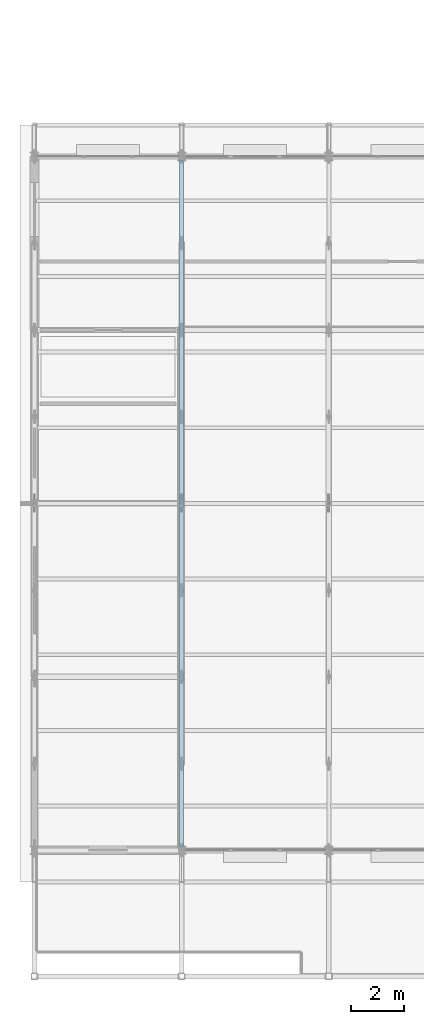
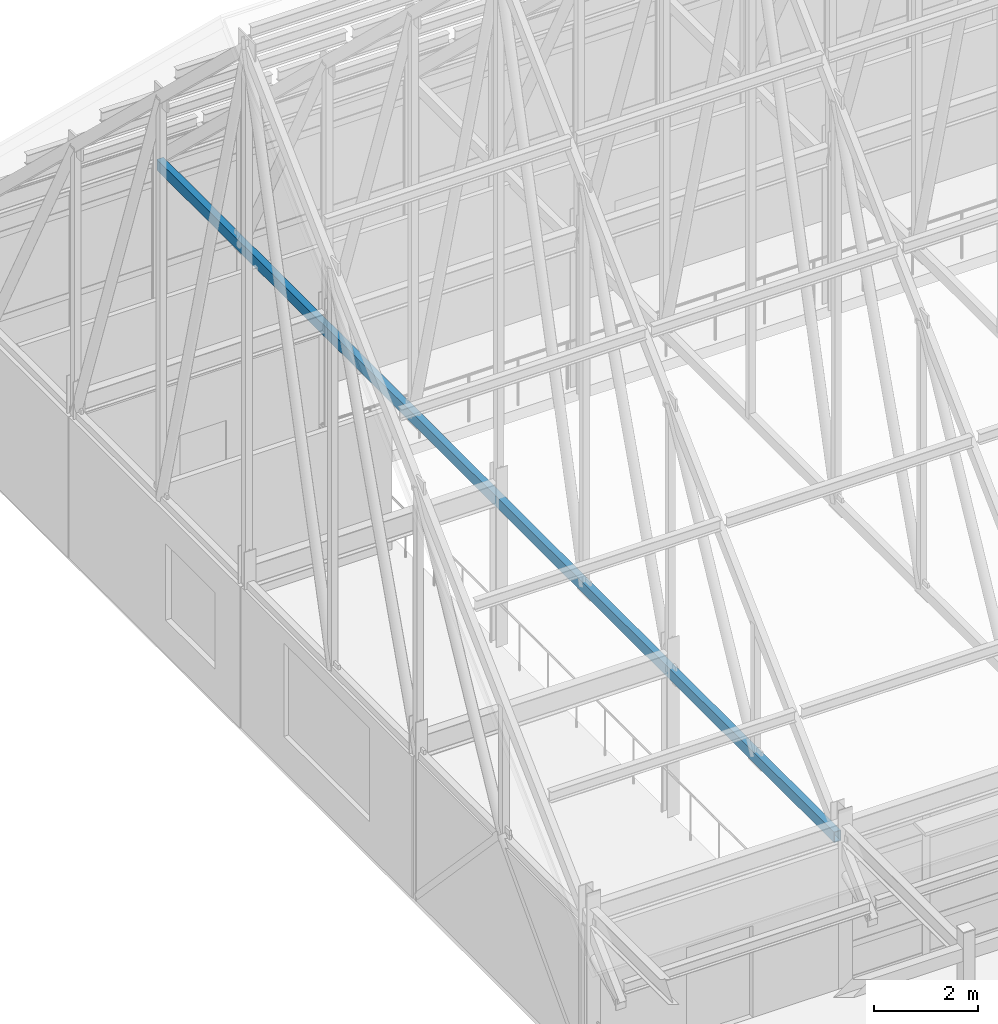
# One storey, part 28 of 144: 1 member.
"""IFC4 building model written with IfcOpenShell, lengths in metres."""

from ifc_helpers import new_model, si_unit, direction, frame, origin, origin_2d, place, context, subcontext, project, spatial, hollow_rectangle, extrude, material, material_profile, profile_set, type_object, element, save


model = new_model("IFC4")

# Units and contexts
model_context = context("Model", 3, precision=1e-05, world=origin(), true_north=direction((0.0, 1.0)))
body_context = subcontext(model_context, "Body", "Model", "MODEL_VIEW")
ifc_project = project(units=[si_unit("LENGTHUNIT", "METRE"), si_unit("AREAUNIT", "SQUARE_METRE"), si_unit("VOLUMEUNIT", "CUBIC_METRE"), si_unit("PLANEANGLEUNIT", "RADIAN"), si_unit("MASSUNIT", "GRAM", prefix="KILO")], contexts=[model_context])

# Site, building, storey
site_placement = place(None, origin())
site = spatial("IfcSite", under=ifc_project, at=site_placement, CompositionType="ELEMENT")
building_placement = place(site_placement, origin())
building = spatial("IfcBuilding", under=site, at=building_placement, Name="Trelmorton Wharf Fire Station", CompositionType="ELEMENT")
storey_placement = place(building_placement, frame((0.0, 0.0, 5.39990234375)))
storey = spatial("IfcBuildingStorey", under=building, at=storey_placement, Name="L01", CompositionType="ELEMENT", Elevation=5.39990234375)

# Member
ifc_material = material(Name="Steel C350L0 (350 MPa)", Category="steel")
ifc_material_profile = material_profile(ifc_material, hollow_rectangle(XDim=0.14990234375, YDim=0.25, WallThickness=0.009033203125, at=origin_2d()), Name="250x150x9.0RHS")
ifc_profile_set = profile_set([ifc_material_profile], Name="Steel C350L0 (350 MPa)")
member_type = type_object("IfcMemberType", Name="TR_CHORD_250RHS", PredefinedType="CHORD", material=ifc_profile_set)
member_placement = place(storey_placement, frame((6.39990234375, 7.95361328125, 3.351806640625), z_axis=(0.0, 1.0, 0.0), x_axis=(-1.0, 0.0, 0.0)))
element("IfcMember", 1, at=member_placement, inside=storey, type_object=member_type, Name="V1-TR02-BC", PredefinedType="CHORD", context=body_context, shape_type="SweptSolid", body=[
    extrude(hollow_rectangle(XDim=0.14990234375, YDim=0.25, WallThickness=0.009033203125, at=origin_2d()), origin(), (0.0, 0.0, 1.0), 26.0927734375),
])

save(model, "model.ifc")
